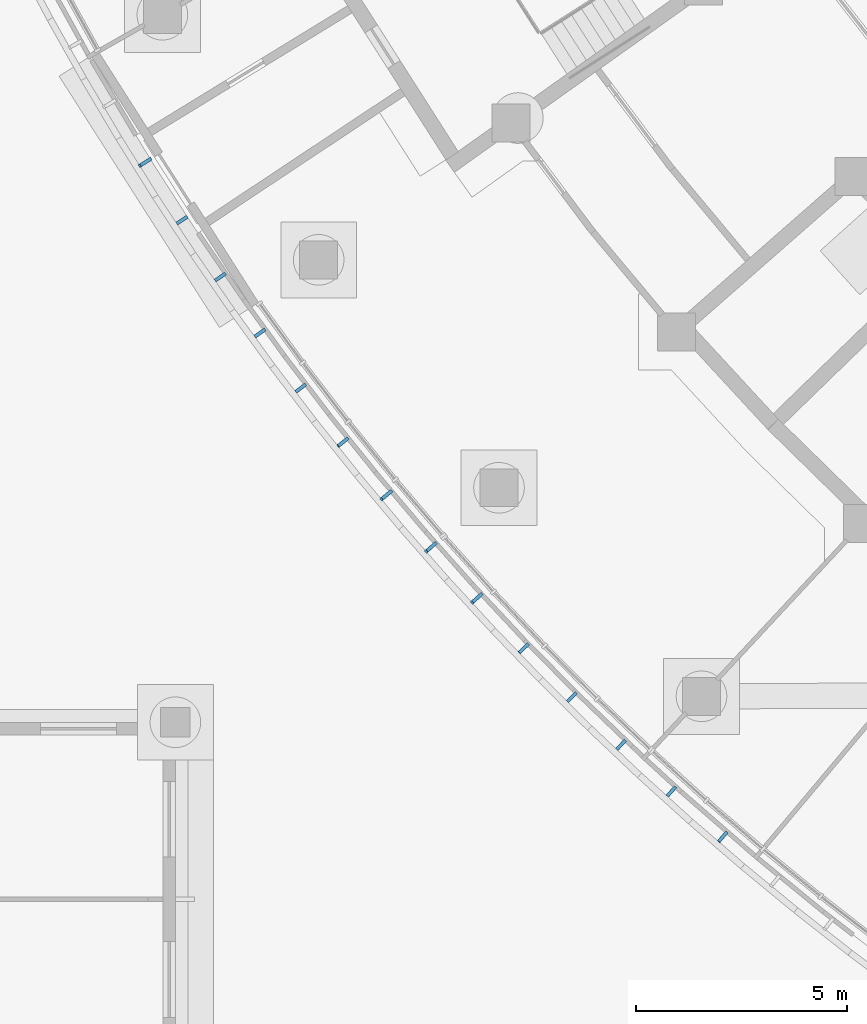
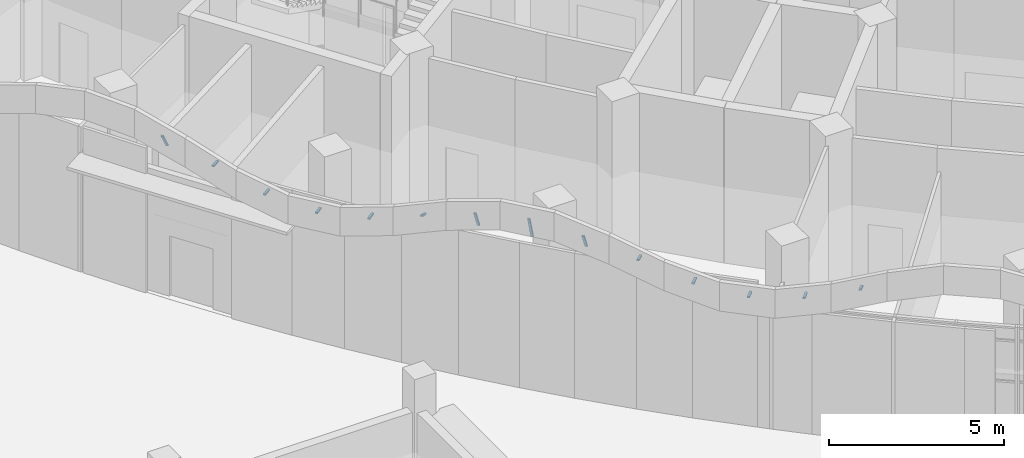
# One storey, part 105 of 146: 14 discrete accessories.
"""IFC4 building model written with IfcOpenShell, lengths in metres."""

from ifc_helpers import new_model, si_unit, direction, frame, origin, origin_2d, place, context, subcontext, project, spatial, rectangle, extrude, material, material_profile, profile_set, type_object, element, save


model = new_model("IFC4")

# Units and contexts
model_context = context("Model", 3, precision=1e-05, world=origin(), true_north=direction((0.0, 1.0)))
body_context = subcontext(model_context, "Body", "Model", "MODEL_VIEW")
ifc_project = project(units=[si_unit("LENGTHUNIT", "METRE"), si_unit("AREAUNIT", "SQUARE_METRE"), si_unit("VOLUMEUNIT", "CUBIC_METRE"), si_unit("PLANEANGLEUNIT", "RADIAN"), si_unit("MASSUNIT", "GRAM", prefix="KILO")], contexts=[model_context])

# Site, building, storey
site_placement = place(None, origin())
site = spatial("IfcSite", under=ifc_project, at=site_placement, CompositionType="ELEMENT")
building_placement = place(site_placement, origin())
building = spatial("IfcBuilding", under=site, at=building_placement, Name="Bougainvillea Quay General Hospital", CompositionType="ELEMENT")
storey_placement = place(building_placement, origin())
storey = spatial("IfcBuildingStorey", under=building, at=storey_placement, Name="L00", CompositionType="ELEMENT", Elevation=0.0)

# Discrete accessories
ifc_material = material(Name="Stainless steel bracket, grade 316", Category="steel")
ifc_material_profile = material_profile(ifc_material, rectangle(XDim=0.080078125, YDim=0.050048828125, at=origin_2d()))
ifc_profile_set = profile_set([ifc_material_profile], Name="Stainless steel bracket, grade 316")
discrete_accessory_type = type_object("IfcDiscreteAccessoryType", Name="Stainless steel stand-off bracket 80x50", PredefinedType="BRACKET", material=ifc_profile_set)
discrete_accessory_1_placement = place(storey_placement, frame((49.80810546875, 88.960205078125, 5.340087890625), z_axis=(-0.423607826576, -0.264653258254, 0.866322724023), x_axis=(0.529852611987, -0.84808974146, 0.0)))
element("IfcDiscreteAccessory", 1, at=discrete_accessory_1_placement, inside=storey, type_object=discrete_accessory_type, Name="Fascia bracket a01 11", PredefinedType="BRACKET", context=body_context, shape_type="SweptSolid", body=[
    extrude(rectangle(XDim=0.080078125, YDim=0.050048828125, at=origin_2d()), origin(), (0.0, 0.0, 1.0), 0.6005859375),
])
discrete_accessory_2_placement = place(storey_placement, frame((50.682861328125, 87.593017578125, 5.32177734375), z_axis=(-0.836036241576, -0.548674222806, 0.0), x_axis=(0.548674222806, -0.836036241576, 0.0)))
element("IfcDiscreteAccessory", 2, at=discrete_accessory_2_placement, inside=storey, type_object=discrete_accessory_type, Name="Fascia bracket a01 12", PredefinedType="BRACKET", context=body_context, shape_type="SweptSolid", body=[
    extrude(rectangle(XDim=0.080078125, YDim=0.050048828125, at=origin_2d()), origin(), (0.0, 0.0, 1.0), 0.2998046875),
])
for number, where, z_axis, x_axis, name in (
    (3, (51.589111328125, 86.24658203125, 4.828125), (-0.822924084085, -0.568151345887, 0.0), (0.568151345887, -0.822924084085, 0.0), "Fascia bracket a01 13"),
    (4, (52.5263671875, 84.921630859375, 4.662353515625), (-0.80936877667, -0.587300760558, 0.0), (0.587300760558, -0.80936877667, 0.0), "Fascia bracket a01 14"),
    (5, (53.494140625, 83.61865234375, 4.919921875), (-0.795879841968, -0.605454603706, 0.0), (0.605454603706, -0.795879841968, 0.0), "Fascia bracket a01 15"),
):
    element("IfcDiscreteAccessory", number, at=place(storey_placement, frame(where, z_axis=z_axis, x_axis=x_axis)), inside=storey, type_object=discrete_accessory_type, Name=name, PredefinedType="BRACKET", context=body_context, shape_type="SweptSolid", body=[
        extrude(rectangle(XDim=0.080078125, YDim=0.050048828125, at=origin_2d()), origin(), (0.0, 0.0, 1.0), 0.300048828125),
    ])
discrete_accessory_3_placement = place(storey_placement, frame((54.49169921875, 82.33837890625, 5.340087890625), z_axis=(-0.731480855103, -0.584422724859, 0.351263202294), x_axis=(0.624198690701, -0.781265636341, 0.0)))
element("IfcDiscreteAccessory", 6, at=discrete_accessory_3_placement, inside=storey, type_object=discrete_accessory_type, Name="Fascia bracket a01 16", PredefinedType="BRACKET", context=body_context, shape_type="SweptSolid", body=[
    extrude(rectangle(XDim=0.080078125, YDim=0.050048828125, at=origin_2d()), origin(), (0.0, 0.0, 1.0), 0.3203125),
])
discrete_accessory_4_placement = place(storey_placement, frame((55.518798828125, 81.08154296875, 5.340087890625), z_axis=(-0.336452131157, -0.281149819037, 0.898751769231), x_axis=(0.641224327915, -0.767353478711, 0.0)))
element("IfcDiscreteAccessory", 7, at=discrete_accessory_4_placement, inside=storey, type_object=discrete_accessory_type, Name="Fascia bracket a01 17", PredefinedType="BRACKET", context=body_context, shape_type="SweptSolid", body=[
    extrude(rectangle(XDim=0.080078125, YDim=0.050048828125, at=origin_2d()), origin(), (0.0, 0.0, 1.0), 0.684326171875),
])
discrete_accessory_5_placement = place(storey_placement, frame((56.57470703125, 79.84912109375, 5.340087890625), z_axis=(-0.264227095628, -0.231627648765, 0.936233237107), x_axis=(0.659195718475, -0.751971412186, 0.0)))
element("IfcDiscreteAccessory", 8, at=discrete_accessory_5_placement, inside=storey, type_object=discrete_accessory_type, Name="Fascia bracket a01 18", PredefinedType="BRACKET", context=body_context, shape_type="SweptSolid", body=[
    extrude(rectangle(XDim=0.080078125, YDim=0.050048828125, at=origin_2d()), origin(), (0.0, 0.0, 1.0), 0.853759765625),
])
discrete_accessory_6_placement = place(storey_placement, frame((57.658935546875, 78.641357421875, 5.340087890625), z_axis=(-0.348078725264, -0.320001656818, 0.881158408376), x_axis=(0.676792150457, -0.736174154042, 0.0)))
element("IfcDiscreteAccessory", 9, at=discrete_accessory_6_placement, inside=storey, type_object=discrete_accessory_type, Name="Fascia bracket a01 19", PredefinedType="BRACKET", context=body_context, shape_type="SweptSolid", body=[
    extrude(rectangle(XDim=0.080078125, YDim=0.050048828125, at=origin_2d()), origin(), (0.0, 0.0, 1.0), 0.634765625),
])
discrete_accessory_7_placement = place(storey_placement, frame((58.770751953125, 77.458984375, 5.340087890625), z_axis=(-0.716099577325, -0.689397559188, 0.109235528745), x_axis=(0.693547822267, -0.720410590031, 0.0)))
element("IfcDiscreteAccessory", 10, at=discrete_accessory_7_placement, inside=storey, type_object=discrete_accessory_type, Name="Fascia bracket a01 20", PredefinedType="BRACKET", context=body_context, shape_type="SweptSolid", body=[
    extrude(rectangle(XDim=0.080078125, YDim=0.050048828125, at=origin_2d()), origin(), (0.0, 0.0, 1.0), 0.3017578125),
])
for number, where, z_axis, x_axis, name in (
    (11, (59.90966796875, 76.302734375, 4.862060546875), (-0.704251467002, -0.709950611822, 0.0), (0.709950611822, -0.704251467002, 0.0), "Fascia bracket a01 21"),
    (12, (61.0751953125, 75.17333984375, 4.65966796875), (-0.687292770794, -0.726380511313, 0.0), (0.726380511313, -0.687292770794, 0.0), "Fascia bracket a01 22"),
):
    element("IfcDiscreteAccessory", number, at=place(storey_placement, frame(where, z_axis=z_axis, x_axis=x_axis)), inside=storey, type_object=discrete_accessory_type, Name=name, PredefinedType="BRACKET", context=body_context, shape_type="SweptSolid", body=[
        extrude(rectangle(XDim=0.080078125, YDim=0.050048828125, at=origin_2d()), origin(), (0.0, 0.0, 1.0), 0.2998046875),
    ])
discrete_accessory_8_placement = place(storey_placement, frame((62.2666015625, 74.0712890625, 4.8818359375), z_axis=(-0.670401878164, -0.74199819525, 0.0), x_axis=(0.74199819525, -0.670401878164, 0.0)))
element("IfcDiscreteAccessory", 13, at=discrete_accessory_8_placement, inside=storey, type_object=discrete_accessory_type, Name="Fascia bracket a01 23", PredefinedType="BRACKET", context=body_context, shape_type="SweptSolid", body=[
    extrude(rectangle(XDim=0.080078125, YDim=0.050048828125, at=origin_2d()), origin(), (0.0, 0.0, 1.0), 0.300048828125),
])
discrete_accessory_9_placement = place(storey_placement, frame((63.4833984375, 72.996826171875, 5.340087890625), z_axis=(-0.640311381068, -0.741581051548, 0.20014714402), x_axis=(0.756896202885, -0.653535108512, 0.0)))
element("IfcDiscreteAccessory", 14, at=discrete_accessory_9_placement, inside=storey, type_object=discrete_accessory_type, Name="Fascia bracket a01 24", PredefinedType="BRACKET", context=body_context, shape_type="SweptSolid", body=[
    extrude(rectangle(XDim=0.080078125, YDim=0.050048828125, at=origin_2d()), origin(), (0.0, 0.0, 1.0), 0.30615234375),
])

save(model, "model.ifc")
